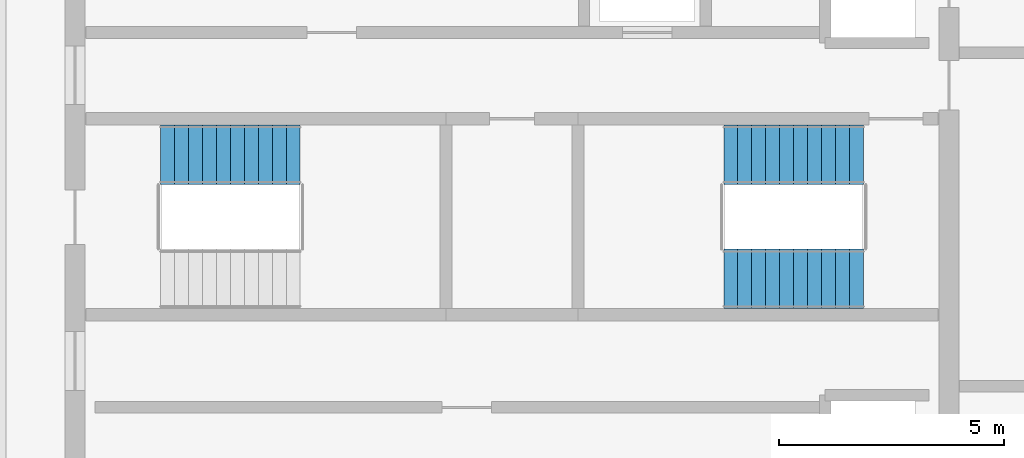
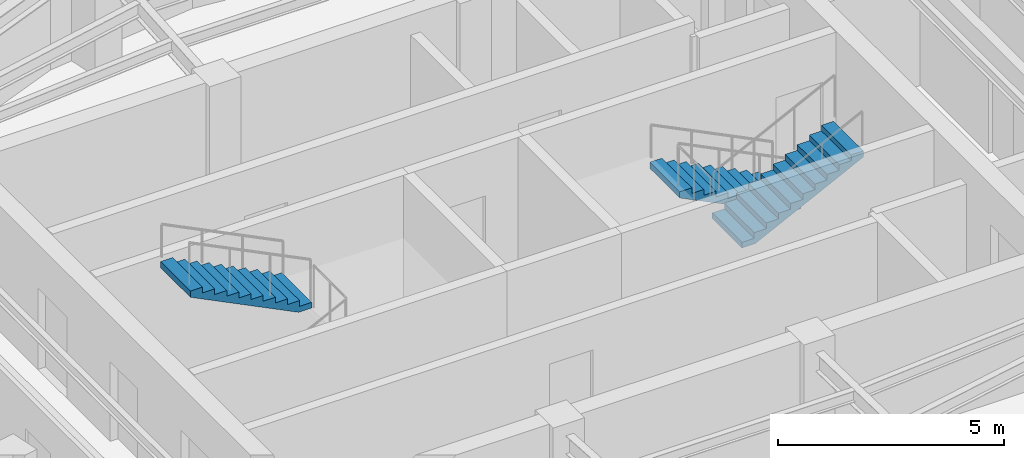
# One storey, part 4 of 5: 3 stair flights, 2 elements without a shape of their own.
"""IFC4 building model written with IfcOpenShell, lengths in metres."""

from ifc_helpers import new_model, si_unit, direction, frame, origin, place, context, subcontext, project, spatial, polyline, outline, extrude, material, type_object, element, aggregate, save


model = new_model("IFC4")

# Units and contexts
model_context = context("Model", 3, precision=1e-05, world=origin(), true_north=direction((0.0, 1.0)))
body_context = subcontext(model_context, "Body", "Model", "MODEL_VIEW")
ifc_project = project(units=[si_unit("LENGTHUNIT", "METRE"), si_unit("AREAUNIT", "SQUARE_METRE"), si_unit("VOLUMEUNIT", "CUBIC_METRE"), si_unit("PLANEANGLEUNIT", "RADIAN"), si_unit("MASSUNIT", "GRAM", prefix="KILO")], contexts=[model_context])

# Site, building, storey
site_placement = place(None, origin())
site = spatial("IfcSite", under=ifc_project, at=site_placement, CompositionType="ELEMENT")
building_placement = place(site_placement, origin())
building = spatial("IfcBuilding", under=site, at=building_placement, Name="Lazwardi Medical Tower", CompositionType="ELEMENT")
storey_placement = place(building_placement, frame((0.0, 0.0, 309.22412109375)))
storey = spatial("IfcBuildingStorey", under=building, at=storey_placement, Name="L81", CompositionType="ELEMENT", Elevation=309.22412109375)

# Stair, stair flight
ifc_material = material(Name="Concrete C45/55", Category="concrete")
stair_type = type_object("IfcStairType", Name="STR-CRN", PredefinedType="HALF_TURN_STAIR", material=ifc_material)
stair_1_placement = place(storey_placement, origin())
stair_1 = element("IfcStair", 1, at=stair_1_placement, inside=storey, type_object=stair_type, Name="L81 Protected Exit Stair ST1", PredefinedType="HALF_TURN_STAIR")
stair_flight_type = type_object("IfcStairFlightType", Name="FLT-CRN", PredefinedType="STRAIGHT", material=ifc_material)
stair_flight_1_placement = place(storey_placement, frame((31.300048828125, 29.43994140625, 1.69384765625), z_axis=(0.0, 0.0, 1.0), x_axis=(-1.0, 0.0, 0.0)))
stair_flight_1 = element("IfcStairFlight", 2, at=stair_flight_1_placement, type_object=stair_flight_type, Name="ST1 flight 2", NumberOfRisers=11, NumberOfTreads=10, PredefinedType="STRAIGHT", RiserHeight=0.154, TreadLength=0.31, context=body_context, shape_type="SweptSolid", body=[
    extrude(outline(polyline([(0.0, 0.0), (0.0, 0.154052734375), (0.31005859375, 0.154052734375), (0.31005859375, 0.30810546875), (0.6201171875, 0.30810546875), (0.6201171875, 0.4619140625), (0.929931640625, 0.4619140625), (0.929931640625, 0.615966796875), (1.239990234375, 0.615966796875), (1.239990234375, 0.77001953125), (1.550048828125, 0.77001953125), (1.550048828125, 0.924072265625), (1.860107421875, 0.924072265625), (1.860107421875, 1.077880859375), (2.169921875, 1.077880859375), (2.169921875, 1.23193359375), (2.47998046875, 1.23193359375), (2.47998046875, 1.385986328125), (2.7900390625, 1.385986328125), (2.7900390625, 1.5400390625), (3.10009765625, 1.5400390625), (3.10009765625, 1.694091796875), (3.10009765625, 1.37255859375), (0.3369140625, 0.0), (0.0, 0.0)])), frame((0.0, 0.66015625, 0.0), z_axis=(0.0, -1.0, 0.0), x_axis=(1.0, 0.0, 0.0)), (0.0, 0.0, 1.0), 1.320068359375),
])
aggregate(stair_1, [stair_flight_1])

# Stair, stair flights
stair_2_placement = place(storey_placement, origin())
stair_2 = element("IfcStair", 3, at=stair_2_placement, inside=storey, type_object=stair_type, Name="L81 Protected Exit Stair ST2", PredefinedType="HALF_TURN_STAIR")
stair_flight_2_placement = place(storey_placement, frame((43.800048828125, 29.43994140625, 0.0), z_axis=(0.0, 0.0, 1.0), x_axis=(-1.0, 0.0, 0.0)))
stair_flight_2 = element("IfcStairFlight", 4, at=stair_flight_2_placement, type_object=stair_flight_type, Name="ST2 flight 1", NumberOfRisers=11, NumberOfTreads=10, PredefinedType="STRAIGHT", RiserHeight=0.154, TreadLength=0.31, context=body_context, shape_type="SweptSolid", body=[
    extrude(outline(polyline([(0.0, 0.0), (0.0, 0.154052734375), (0.31005859375, 0.154052734375), (0.31005859375, 0.30810546875), (0.6201171875, 0.30810546875), (0.6201171875, 0.4619140625), (0.929931640625, 0.4619140625), (0.929931640625, 0.615966796875), (1.239990234375, 0.615966796875), (1.239990234375, 0.77001953125), (1.550048828125, 0.77001953125), (1.550048828125, 0.924072265625), (1.860107421875, 0.924072265625), (1.860107421875, 1.077880859375), (2.169921875, 1.077880859375), (2.169921875, 1.23193359375), (2.47998046875, 1.23193359375), (2.47998046875, 1.385986328125), (2.7900390625, 1.385986328125), (2.7900390625, 1.5400390625), (3.10009765625, 1.5400390625), (3.10009765625, 1.694091796875), (3.10009765625, 1.37255859375), (0.3369140625, 0.0), (0.0, 0.0)])), frame((0.0, 0.66015625, 0.0), z_axis=(0.0, -1.0, 0.0), x_axis=(1.0, 0.0, 0.0)), (0.0, 0.0, 1.0), 1.320068359375),
])
stair_flight_3_placement = place(storey_placement, frame((40.699951171875, 26.679931640625, 1.69384765625), z_axis=(0.0, 0.0, 1.0), x_axis=(1.0, 0.0, 0.0)))
stair_flight_3 = element("IfcStairFlight", 5, at=stair_flight_3_placement, type_object=stair_flight_type, Name="ST2 flight 2", NumberOfRisers=11, NumberOfTreads=10, PredefinedType="STRAIGHT", RiserHeight=0.154, TreadLength=0.31, context=body_context, shape_type="SweptSolid", body=[
    extrude(outline(polyline([(0.0, 0.0), (0.0, 0.154052734375), (0.31005859375, 0.154052734375), (0.31005859375, 0.30810546875), (0.6201171875, 0.30810546875), (0.6201171875, 0.4619140625), (0.929931640625, 0.4619140625), (0.929931640625, 0.615966796875), (1.239990234375, 0.615966796875), (1.239990234375, 0.77001953125), (1.550048828125, 0.77001953125), (1.550048828125, 0.924072265625), (1.860107421875, 0.924072265625), (1.860107421875, 1.077880859375), (2.169921875, 1.077880859375), (2.169921875, 1.23193359375), (2.47998046875, 1.23193359375), (2.47998046875, 1.385986328125), (2.7900390625, 1.385986328125), (2.7900390625, 1.5400390625), (3.10009765625, 1.5400390625), (3.10009765625, 1.694091796875), (3.10009765625, 1.37255859375), (0.3369140625, 0.0), (0.0, 0.0)])), frame((0.0, 0.66015625, 0.0), z_axis=(0.0, -1.0, 0.0), x_axis=(1.0, 0.0, 0.0)), (0.0, 0.0, 1.0), 1.320068359375),
])
aggregate(stair_2, [stair_flight_2, stair_flight_3])

save(model, "model.ifc")
